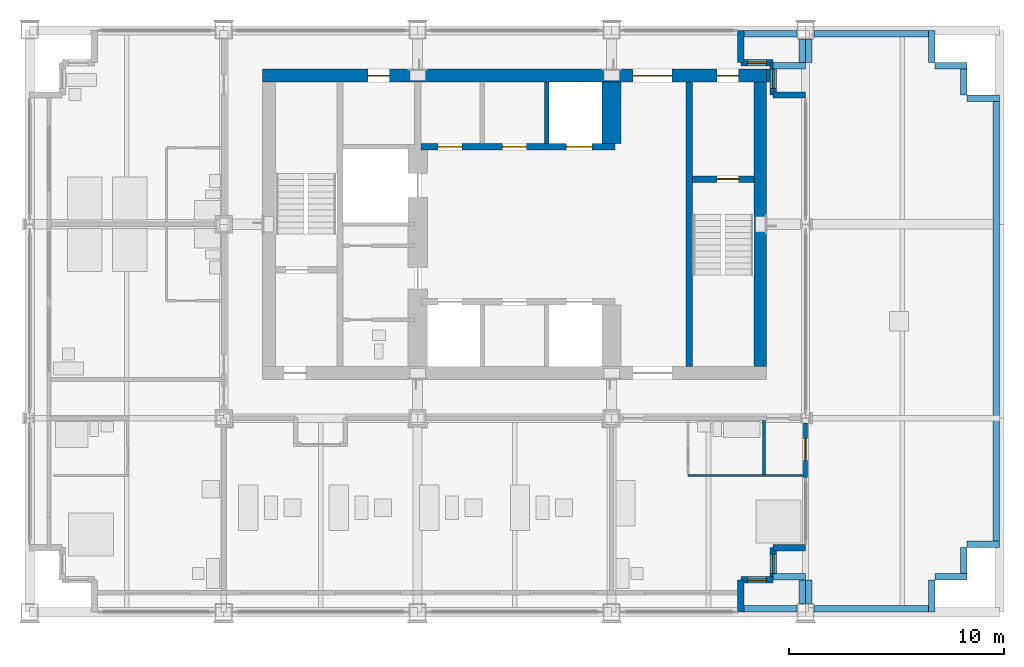
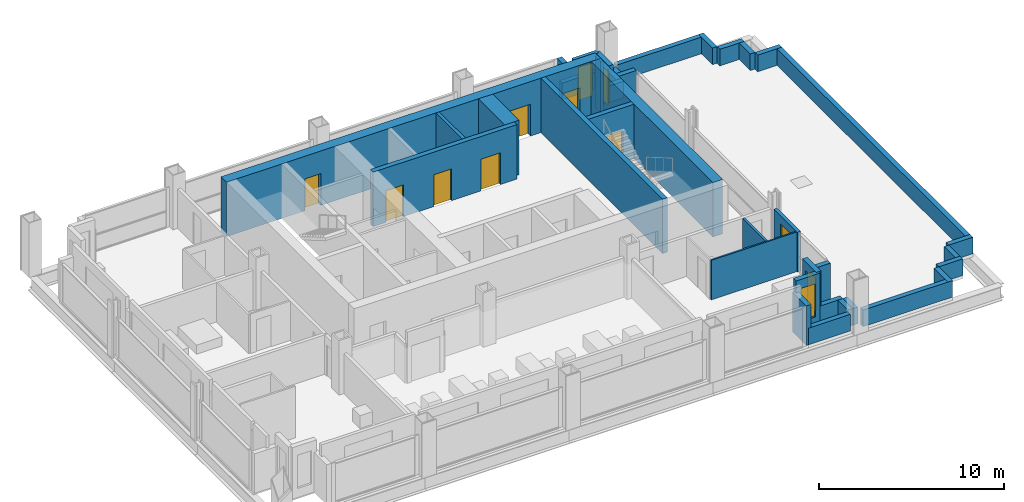
# One storey, part 8 of 12: 38 walls, 8 doors, 4 windows, 12 openings.
"""IFC4 building model written with IfcOpenShell, lengths in metres."""

import ifcopenshell
import ifcopenshell.guid

model = None  # the IFC model being written
_history = None  # IfcOwnerHistory: only IFC2X3 demands one
_inside = {}  # id of a spatial element -> (the spatial element, [elements in it])
_under = {}  # id of a project, library or spatial element -> (it, [spatial elements below it])
_declared = {}  # id of a project -> (the project, [libraries it declares])
_typed = {}  # id of a type object -> (the type object, [elements of that type])
_made_of = {}  # id of a material, layer set ... -> (it, [elements and type objects made of it])


def new_model(schema):
    """Start an empty IFC model of exactly this schema.

    Asked for "IFC4X3", IfcOpenShell would pick the latest addendum, in which some entities
    have other attributes; the version numbers below select the first issue.
    IFC2X3 requires an IfcOwnerHistory on every rooted entity: one is made here for all.
    """
    global model, _history
    if schema == "IFC4X3":
        model = ifcopenshell.file(schema_version=(4, 3, 0, 0))
    else:
        model = ifcopenshell.file(schema=schema)
    _inside.clear()
    _under.clear()
    _declared.clear()
    _typed.clear()
    _made_of.clear()
    _history = None
    if model.schema == "IFC2X3":
        org = make("IfcOrganization", Name="unknown")
        user = make(
            "IfcPersonAndOrganization",
            ThePerson=make("IfcPerson", FamilyName="unknown"),
            TheOrganization=org,
        )
        app = make(
            "IfcApplication",
            ApplicationDeveloper=org,
            Version="unknown",
            ApplicationFullName="unknown",
            ApplicationIdentifier="unknown",
        )
        _history = make(
            "IfcOwnerHistory",
            OwningUser=user,
            OwningApplication=app,
            ChangeAction="ADDED",
            CreationDate=0,
        )
    return model


def make(cls, **values):
    """One entity of the class cls with the attributes given. An attribute that is None is left unset."""
    return model.create_entity(
        cls, **{name: value for name, value in values.items() if value is not None}
    )


def rooted(cls, **values):
    """An entity with a GlobalId (a new one), such as an element, a storey or a relation."""
    return make(cls, GlobalId=ifcopenshell.guid.new(), OwnerHistory=_history, **values)


def si_unit(unit_type, name, prefix=None):
    """IfcSIUnit, for example si_unit("LENGTHUNIT", "METRE", prefix="MILLI")."""
    return make("IfcSIUnit", UnitType=unit_type, Prefix=prefix, Name=name)


def assignment(units):
    """IfcUnitAssignment: the units of a project."""
    return None if units is None else make("IfcUnitAssignment", Units=units)


def point(xyz):
    """IfcCartesianPoint."""
    return None if xyz is None else make("IfcCartesianPoint", Coordinates=xyz)


def direction(xyz):
    """IfcDirection."""
    return None if xyz is None else make("IfcDirection", DirectionRatios=xyz)


def frame(location, z_axis=None, x_axis=None):
    """IfcAxis2Placement3D, a coordinate frame: its origin and axes. An axis left out is left unset."""
    return make(
        "IfcAxis2Placement3D",
        Location=point(location),
        Axis=direction(z_axis),
        RefDirection=direction(x_axis),
    )


def frame_2d(location, x_axis=None):
    """IfcAxis2Placement2D, a coordinate frame in the plane: its origin and x axis."""
    return make(
        "IfcAxis2Placement2D", Location=point(location), RefDirection=direction(x_axis)
    )


def origin():
    """The frame at (0, 0, 0) with its axes left unset."""
    return frame((0.0, 0.0, 0.0))


def place(relative_to, where):
    """IfcLocalPlacement: puts the frame where relative to a parent placement (None: the world)."""
    return make(
        "IfcLocalPlacement", PlacementRelTo=relative_to, RelativePlacement=where
    )


def context(
    kind, dimensions, precision=None, world=None, true_north=None, identifier=None
):
    """IfcGeometricRepresentationContext, for example the 3D "Model" context."""
    return make(
        "IfcGeometricRepresentationContext",
        ContextIdentifier=identifier,
        ContextType=kind,
        CoordinateSpaceDimension=dimensions,
        Precision=precision,
        WorldCoordinateSystem=world,
        TrueNorth=true_north,
    )


def subcontext(parent, identifier, kind, view, scale=None):
    """IfcGeometricRepresentationSubContext, for example "Body" below "Model"."""
    return make(
        "IfcGeometricRepresentationSubContext",
        ContextIdentifier=identifier,
        ContextType=kind,
        ParentContext=parent,
        TargetScale=scale,
        TargetView=view,
    )


def project(units=None, contexts=None):
    """IfcProject with its units and contexts."""
    return rooted(
        "IfcProject",
        Name="project",
        RepresentationContexts=contexts,
        UnitsInContext=assignment(units),
    )


def spatial(cls, under=None, at=None, **own):
    """A site, building, storey or space (cls), placed at a placement, below another one or the project."""
    s = rooted(cls, ObjectPlacement=at, **own)
    if under is not None:
        _under.setdefault(under.id(), (under, []))[1].append(s)
    return s


def profile(cls, at=None, kind="AREA", **sizes):
    """A parametric profile (cls). Its sizes go by their IFC names, for example OverallWidth=200.0."""
    return make(cls, ProfileType=kind, Position=at, **sizes)


def rectangle(**sizes):
    """IfcRectangleProfileDef."""
    return profile("IfcRectangleProfileDef", **sizes)


def extrude(swept, where, along, depth):
    """IfcExtrudedAreaSolid: the profile swept, set in the frame where, extruded along a direction by depth."""
    return make(
        "IfcExtrudedAreaSolid",
        SweptArea=swept,
        Position=where,
        ExtrudedDirection=direction(along),
        Depth=depth,
    )


def shape(context_of_items, identifier, shape_type, items):
    """IfcShapeRepresentation: the items that make up one representation, for example the "Body"."""
    return make(
        "IfcShapeRepresentation",
        ContextOfItems=context_of_items,
        RepresentationIdentifier=identifier,
        RepresentationType=shape_type,
        Items=items,
    )


def material(Name=None, Category=None):
    """IfcMaterial."""
    return make("IfcMaterial", Name=Name, Category=Category)


def layer(
    of_material, thickness, ventilated=None, Name=None, Category=None, Priority=None
):
    """IfcMaterialLayer: one layer of a wall or slab, of a material (None: an air gap)."""
    return make(
        "IfcMaterialLayer",
        Material=of_material,
        LayerThickness=thickness,
        IsVentilated=ventilated,
        Name=Name,
        Category=Category,
        Priority=Priority,
    )


def layer_set(layers, Name=None):
    """IfcMaterialLayerSet."""
    return make("IfcMaterialLayerSet", MaterialLayers=layers, LayerSetName=Name)


def made_of(thing, what):
    """Note that an element or type object is made of a material, layer set ...; save() writes the relation."""
    if what is not None:
        _made_of.setdefault(what.id(), (what, []))[1].append(thing)
    return thing


def type_object(cls, material=None, **own):
    """A type object (cls), such as IfcWallType, which elements share."""
    return made_of(rooted(cls, **own), material)


def element(
    cls,
    number,
    at=None,
    inside=None,
    cuts=None,
    type_object=None,
    material=None,
    context=None,
    identifier="Body",
    shape_type=None,
    held_by="IfcProductDefinitionShape",
    body=None,
    shapes=None,
    **own,
):
    """One element of the class cls, such as IfcWall. Its Tag is "e" and its number.

    at: its placement. inside: the storey or other place that contains it. cuts: it is an
    opening in that element (IfcRelVoidsElement). A single representation is given by context,
    identifier, shape_type and body (its items); several are given by shapes. held_by: the class
    of the entity that holds the representations. save() writes the other relations.
    """
    e = rooted(cls, Tag="e%d" % number, ObjectPlacement=at, **own)
    if body is not None:
        shapes = [shape(context, identifier, shape_type, body)]
    if shapes is not None:
        e.Representation = make(held_by, Representations=shapes)
    if inside is not None:
        _inside.setdefault(inside.id(), (inside, []))[1].append(e)
    if cuts is not None:
        rooted(
            "IfcRelVoidsElement", RelatingBuildingElement=cuts, RelatedOpeningElement=e
        )
    if type_object is not None:
        _typed.setdefault(type_object.id(), (type_object, []))[1].append(e)
    return made_of(e, material)


def fill(opening, filler):
    """IfcRelFillsElement: the door or window that sits in an opening."""
    return rooted(
        "IfcRelFillsElement",
        RelatingOpeningElement=opening,
        RelatedBuildingElement=filler,
    )


def aggregate(whole, parts):
    """IfcRelAggregates: a whole, such as a stair, and the parts it consists of."""
    return rooted("IfcRelAggregates", RelatingObject=whole, RelatedObjects=parts)


def save(model, path):
    """Write the relations noted so far, then the file.

    IfcRelAggregates (storeys below a building ...), IfcRelContainedInSpatialStructure (elements
    in a storey), IfcRelDefinesByType, IfcRelAssociatesMaterial and IfcRelDeclares: one each for
    every whole, place, type object, material and project.
    """
    for whole, parts in _under.values():
        aggregate(whole, parts)
    for where, things in _inside.values():
        rooted(
            "IfcRelContainedInSpatialStructure",
            RelatedElements=things,
            RelatingStructure=where,
        )
    for kind, things in _typed.values():
        rooted("IfcRelDefinesByType", RelatedObjects=things, RelatingType=kind)
    for what, things in _made_of.values():
        rooted("IfcRelAssociatesMaterial", RelatedObjects=things, RelatingMaterial=what)
    for by, libraries in _declared.values():
        rooted("IfcRelDeclares", RelatingContext=by, RelatedDefinitions=libraries)
    model.write(path)


model = new_model("IFC4")

# Units and contexts
model_context = context("Model", 3, precision=1e-05, world=origin(), true_north=direction((0.0, 1.0)))
body_context = subcontext(model_context, "Body", "Model", "MODEL_VIEW")
ifc_project = project(units=[si_unit("LENGTHUNIT", "METRE"), si_unit("AREAUNIT", "SQUARE_METRE"), si_unit("VOLUMEUNIT", "CUBIC_METRE"), si_unit("PLANEANGLEUNIT", "RADIAN"), si_unit("MASSUNIT", "GRAM", prefix="KILO")], contexts=[model_context])

# Site, building, storey
site_placement = place(None, origin())
site = spatial("IfcSite", under=ifc_project, at=site_placement, CompositionType="ELEMENT")
building_placement = place(site_placement, origin())
building = spatial("IfcBuilding", under=site, at=building_placement, Name="Loomwork Tower", CompositionType="ELEMENT")
storey_placement = place(building_placement, frame((0.0, 0.0, 226.60009765625)))
storey = spatial("IfcBuildingStorey", under=building, at=storey_placement, Name="L62", CompositionType="ELEMENT", Elevation=226.60009765625)

# Wall, openings, doors
ifc_material_1 = material(Name="Concrete 14000 psi (97 MPa)", Category="concrete")
ifc_layer_1 = layer(ifc_material_1, 0.300048828125)
ifc_layer_set_1 = layer_set([ifc_layer_1], Name="Core shear wall 300")
wall_type_1 = type_object("IfcWallType", Name="Core shear wall 300", PredefinedType="SHEAR", material=ifc_layer_set_1)
wall_1_placement = place(storey_placement, frame((18.14990234375, 21.60009765625, 0.0), z_axis=(0.0, 0.0, 1.0), x_axis=(1.0, 0.0, 0.0)))
wall_1 = element("IfcWall", 1, at=wall_1_placement, inside=storey, type_object=wall_type_1, Name="Lift front wall north L62", PredefinedType="SHEAR", context=body_context, shape_type="SweptSolid", body=[
    extrude(rectangle(XDim=9.0, YDim=0.300048828125, at=frame_2d((4.5, 0.0))), origin(), (0.0, 0.0, 1.0), 3.599853515625),
])
opening_1_placement = place(wall_1_placement, frame((6.75, 0.0, 0.0)))
opening_1 = element("IfcOpeningElement", 2, at=opening_1_placement, cuts=wall_1, Name="Opening LD2", PredefinedType="OPENING", context=body_context, shape_type="SweptSolid", body=[
    extrude(rectangle(XDim=1.199951171875, YDim=2.10009765625, at=frame_2d((0.60009765625, 1.050048828125))), frame((0.0, 0.159912109375, 0.0), z_axis=(0.0, -1.0, 0.0), x_axis=(1.0, 0.0, 0.0)), (0.0, 0.0, 1.0), 0.320068359375),
])
opening_2_placement = place(wall_1_placement, frame((0.800048828125, 0.0, 0.0)))
opening_2 = element("IfcOpeningElement", 3, at=opening_2_placement, cuts=wall_1, Name="Opening D17", PredefinedType="OPENING", context=body_context, shape_type="SweptSolid", body=[
    extrude(rectangle(XDim=1.10009765625, YDim=2.10009765625, at=frame_2d((0.550048828125, 1.050048828125))), frame((0.0, 0.159912109375, 0.0), z_axis=(0.0, -1.0, 0.0), x_axis=(1.0, 0.0, 0.0)), (0.0, 0.0, 1.0), 0.320068359375),
])
opening_3_placement = place(wall_1_placement, frame((3.800048828125, 0.0, 0.0)))
opening_3 = element("IfcOpeningElement", 4, at=opening_3_placement, cuts=wall_1, Name="Opening D17", PredefinedType="OPENING", context=body_context, shape_type="SweptSolid", body=[
    extrude(rectangle(XDim=1.10009765625, YDim=2.10009765625, at=frame_2d((0.550048828125, 1.050048828125))), frame((0.0, 0.159912109375, 0.0), z_axis=(0.0, -1.0, 0.0), x_axis=(1.0, 0.0, 0.0)), (0.0, 0.0, 1.0), 0.320068359375),
])
ifc_material_2 = material(Name="Hollow metal door and frame")
door_type_1 = type_object("IfcDoorType", Name="Lift landing door 1200", OperationType="SLIDING_TO_LEFT", PredefinedType="DOOR", material=ifc_material_2)
door_1_placement = place(opening_1_placement, origin())
door_1 = element("IfcDoor", 5, at=door_1_placement, inside=storey, type_object=door_type_1, Name="Lift landing door LF2", OperationType="SLIDING_TO_LEFT", OverallHeight=2.10009765625, OverallWidth=1.199951171875, PredefinedType="DOOR", context=body_context, shape_type="SweptSolid", body=[
    extrude(rectangle(XDim=1.199951171875, YDim=2.10009765625, at=frame_2d((0.60009765625, 1.050048828125))), frame((0.0, 0.02490234375, 0.0), z_axis=(0.0, -1.0, 0.0), x_axis=(1.0, 0.0, 0.0)), (0.0, 0.0, 1.0), 0.050048828125),
])
fill(opening_1, door_1)
ifc_material_3 = material(Name="Hollow metal door and frame")
door_type_2 = type_object("IfcDoorType", Name="Service room door 1100", OperationType="SINGLE_SWING_LEFT", PredefinedType="DOOR", material=ifc_material_3)
door_2_placement = place(opening_2_placement, origin())
door_2 = element("IfcDoor", 6, at=door_2_placement, inside=storey, type_object=door_type_2, Name="IT and communications room door L62", OperationType="SINGLE_SWING_LEFT", OverallHeight=2.10009765625, OverallWidth=1.10009765625, PredefinedType="DOOR", context=body_context, shape_type="SweptSolid", body=[
    extrude(rectangle(XDim=1.10009765625, YDim=2.10009765625, at=frame_2d((0.550048828125, 1.050048828125))), frame((0.0, 0.02490234375, 0.0), z_axis=(0.0, -1.0, 0.0), x_axis=(1.0, 0.0, 0.0)), (0.0, 0.0, 1.0), 0.050048828125),
])
fill(opening_2, door_2)
door_3_placement = place(opening_3_placement, origin())
door_3 = element("IfcDoor", 7, at=door_3_placement, inside=storey, type_object=door_type_2, Name="Housekeeping store door L62", OperationType="SINGLE_SWING_LEFT", OverallHeight=2.10009765625, OverallWidth=1.10009765625, PredefinedType="DOOR", context=body_context, shape_type="SweptSolid", body=[
    extrude(rectangle(XDim=1.10009765625, YDim=2.10009765625, at=frame_2d((0.550048828125, 1.050048828125))), frame((0.0, 0.02490234375, 0.0), z_axis=(0.0, -1.0, 0.0), x_axis=(1.0, 0.0, 0.0)), (0.0, 0.0, 1.0), 0.050048828125),
])
fill(opening_3, door_3)

# Wall
wall_2_placement = place(storey_placement, frame((30.60009765625, 11.39990234375, 0.0), z_axis=(0.0, 0.0, 1.0), x_axis=(0.0, 1.0, 0.0)))
element("IfcWall", 8, at=wall_2_placement, inside=storey, type_object=wall_type_1, Name="Stair B west wall L62", PredefinedType="SHEAR", context=body_context, shape_type="SweptSolid", body=[
    extrude(rectangle(XDim=13.2001953125, YDim=0.300048828125, at=frame_2d((6.60009765625, 0.0))), origin(), (0.0, 0.0, 1.0), 3.599853515625),
])

# Wall, opening, door
wall_3_placement = place(storey_placement, frame((30.75, 20.10009765625, 0.0), z_axis=(0.0, 0.0, 1.0), x_axis=(1.0, 0.0, 0.0)))
wall_3 = element("IfcWall", 9, at=wall_3_placement, inside=storey, type_object=wall_type_1, Name="Stair B north wall L62", PredefinedType="SHEAR", context=body_context, shape_type="SweptSolid", body=[
    extrude(rectangle(XDim=2.85009765625, YDim=0.300048828125, at=frame_2d((1.425048828125, 0.0))), origin(), (0.0, 0.0, 1.0), 3.599853515625),
])
opening_4_placement = place(wall_3_placement, frame((1.14990234375, 0.0, 0.0)))
opening_4 = element("IfcOpeningElement", 10, at=opening_4_placement, cuts=wall_3, Name="Opening D4", PredefinedType="OPENING", context=body_context, shape_type="SweptSolid", body=[
    extrude(rectangle(XDim=1.0, YDim=2.10009765625, at=frame_2d((0.5, 1.050048828125))), frame((0.0, 0.159912109375, 0.0), z_axis=(0.0, -1.0, 0.0), x_axis=(1.0, 0.0, 0.0)), (0.0, 0.0, 1.0), 0.320068359375),
])
ifc_material_4 = material(Name="Hollow metal door and frame")
door_type_3 = type_object("IfcDoorType", Name="Stair door 1000", OperationType="SINGLE_SWING_RIGHT", PredefinedType="DOOR", material=ifc_material_4)
door_4_placement = place(opening_4_placement, frame((1.0, 0.0, 0.0), z_axis=(0.0, 0.0, 1.0), x_axis=(-1.0, 0.0, 0.0)))
door_4 = element("IfcDoor", 11, at=door_4_placement, inside=storey, type_object=door_type_3, Name="Stair B door", OperationType="SINGLE_SWING_LEFT", OverallHeight=2.10009765625, OverallWidth=1.0, PredefinedType="DOOR", context=body_context, shape_type="SweptSolid", body=[
    extrude(rectangle(XDim=1.0, YDim=2.10009765625, at=frame_2d((0.5, 1.050048828125))), frame((0.0, 0.02490234375, 0.0), z_axis=(0.0, -1.0, 0.0), x_axis=(1.0, 0.0, 0.0)), (0.0, 0.0, 1.0), 0.050048828125),
])
fill(opening_4, door_4)

# Wall, openings, doors
ifc_material_5 = material(Name="Concrete 14000 psi (97 MPa)", Category="concrete")
ifc_layer_2 = layer(ifc_material_5, 0.60009765625)
ifc_layer_set_2 = layer_set([ifc_layer_2], Name="Core shear wall 600")
wall_type_2 = type_object("IfcWallType", Name="Core shear wall 600", PredefinedType="SHEAR", material=ifc_layer_set_2)
wall_4_placement = place(storey_placement, frame((10.800048828125, 24.89990234375, 0.0), z_axis=(0.0, 0.0, 1.0), x_axis=(1.0, 0.0, 0.0)))
wall_4 = element("IfcWall", 12, at=wall_4_placement, inside=storey, type_object=wall_type_2, Name="Core wall north L62", PredefinedType="SHEAR", context=body_context, shape_type="SweptSolid", body=[
    extrude(rectangle(XDim=23.39990234375, YDim=0.60009765625, at=frame_2d((11.699951171875, 0.0))), origin(), (0.0, 0.0, 1.0), 3.599853515625),
])
opening_5_placement = place(wall_4_placement, frame((17.199951171875, 0.0, 0.0)))
opening_5 = element("IfcOpeningElement", 13, at=opening_5_placement, cuts=wall_4, Name="Opening D6", PredefinedType="OPENING", context=body_context, shape_type="SweptSolid", body=[
    extrude(rectangle(XDim=1.800048828125, YDim=2.10009765625, at=frame_2d((0.89990234375, 1.050048828125))), frame((0.0, 0.31005859375, 0.0), z_axis=(0.0, -1.0, 0.0), x_axis=(1.0, 0.0, 0.0)), (0.0, 0.0, 1.0), 0.6201171875),
])
opening_6_placement = place(wall_4_placement, frame((21.10009765625, 0.0, 0.0)))
opening_6 = element("IfcOpeningElement", 14, at=opening_6_placement, cuts=wall_4, Name="Opening D4", PredefinedType="OPENING", context=body_context, shape_type="SweptSolid", body=[
    extrude(rectangle(XDim=1.0, YDim=2.10009765625, at=frame_2d((0.5, 1.050048828125))), frame((0.0, 0.31005859375, 0.0), z_axis=(0.0, -1.0, 0.0), x_axis=(1.0, 0.0, 0.0)), (0.0, 0.0, 1.0), 0.6201171875),
])
opening_7_placement = place(wall_4_placement, frame((4.89990234375, 0.0, 0.0)))
opening_7 = element("IfcOpeningElement", 15, at=opening_7_placement, cuts=wall_4, Name="Opening D5", PredefinedType="OPENING", context=body_context, shape_type="SweptSolid", body=[
    extrude(rectangle(XDim=1.0, YDim=2.10009765625, at=frame_2d((0.5, 1.050048828125))), frame((0.0, 0.31005859375, 0.0), z_axis=(0.0, -1.0, 0.0), x_axis=(1.0, 0.0, 0.0)), (0.0, 0.0, 1.0), 0.6201171875),
])
ifc_material_6 = material(Name="Hollow metal door and frame")
door_type_4 = type_object("IfcDoorType", Name="Lobby passage double door 1800", OperationType="DOUBLE_DOOR_SINGLE_SWING", PredefinedType="DOOR", material=ifc_material_6)
door_5_placement = place(opening_5_placement, frame((1.800048828125, 0.0, 0.0), z_axis=(0.0, 0.0, 1.0), x_axis=(-1.0, 0.0, 0.0)))
door_5 = element("IfcDoor", 16, at=door_5_placement, inside=storey, type_object=door_type_4, Name="Lobby passage door north", OperationType="DOUBLE_DOOR_SINGLE_SWING", OverallHeight=2.10009765625, OverallWidth=1.800048828125, PredefinedType="DOOR", context=body_context, shape_type="SweptSolid", body=[
    extrude(rectangle(XDim=1.800048828125, YDim=2.10009765625, at=frame_2d((0.89990234375, 1.050048828125))), frame((0.0, 0.02490234375, 0.0), z_axis=(0.0, -1.0, 0.0), x_axis=(1.0, 0.0, 0.0)), (0.0, 0.0, 1.0), 0.050048828125),
])
fill(opening_5, door_5)
ifc_material_7 = material(Name="Hollow metal door and frame")
door_type_5 = type_object("IfcDoorType", Name="Service door 1000", OperationType="SINGLE_SWING_LEFT", PredefinedType="DOOR", material=ifc_material_7)
door_6_placement = place(opening_7_placement, frame((1.0, 0.0, 0.0), z_axis=(0.0, 0.0, 1.0), x_axis=(-1.0, 0.0, 0.0)))
door_6 = element("IfcDoor", 17, at=door_6_placement, inside=storey, type_object=door_type_5, Name="Back-of-house door north", OperationType="SINGLE_SWING_LEFT", OverallHeight=2.10009765625, OverallWidth=1.0, PredefinedType="DOOR", context=body_context, shape_type="SweptSolid", body=[
    extrude(rectangle(XDim=1.0, YDim=2.10009765625, at=frame_2d((0.5, 1.050048828125))), frame((0.0, 0.02490234375, 0.0), z_axis=(0.0, -1.0, 0.0), x_axis=(1.0, 0.0, 0.0)), (0.0, 0.0, 1.0), 0.050048828125),
])
fill(opening_7, door_6)
door_7_placement = place(opening_6_placement, frame((1.0, 0.0, 0.0), z_axis=(0.0, 0.0, 1.0), x_axis=(-1.0, 0.0, 0.0)))
door_7 = element("IfcDoor", 18, at=door_7_placement, inside=storey, type_object=door_type_3, Name="Stair B vestibule door", OperationType="SINGLE_SWING_LEFT", OverallHeight=2.10009765625, OverallWidth=1.0, PredefinedType="DOOR", context=body_context, shape_type="SweptSolid", body=[
    extrude(rectangle(XDim=1.0, YDim=2.10009765625, at=frame_2d((0.5, 1.050048828125))), frame((0.0, 0.02490234375, 0.0), z_axis=(0.0, -1.0, 0.0), x_axis=(1.0, 0.0, 0.0)), (0.0, 0.0, 1.0), 0.050048828125),
])
fill(opening_6, door_7)

# Walls
wall_5_placement = place(storey_placement, frame((33.89990234375, 11.39990234375, 0.0), z_axis=(0.0, 0.0, 1.0), x_axis=(0.0, 1.0, 0.0)))
element("IfcWall", 19, at=wall_5_placement, inside=storey, type_object=wall_type_2, Name="Core wall east L62", PredefinedType="SHEAR", context=body_context, shape_type="SweptSolid", body=[
    extrude(rectangle(XDim=13.2001953125, YDim=0.60009765625, at=frame_2d((6.60009765625, 0.0))), origin(), (0.0, 0.0, 1.0), 3.599853515625),
])
ifc_material_8 = material(Name="Concrete 14000 psi (97 MPa)", Category="concrete")
ifc_layer_3 = layer(ifc_material_8, 0.89990234375)
ifc_layer_set_3 = layer_set([ifc_layer_3], Name="Core shear wall 900")
wall_type_3 = type_object("IfcWallType", Name="Core shear wall 900", PredefinedType="SHEAR", material=ifc_layer_set_3)
wall_6_placement = place(storey_placement, frame((27.0, 21.75, 0.0), z_axis=(0.0, 0.0, 1.0), x_axis=(0.0, 1.0, 0.0)))
element("IfcWall", 20, at=wall_6_placement, inside=storey, type_object=wall_type_3, Name="Lift shaft end wall north L62", PredefinedType="SHEAR", context=body_context, shape_type="SweptSolid", body=[
    extrude(rectangle(XDim=2.85009765625, YDim=0.89990234375, at=frame_2d((1.425048828125, 0.0))), origin(), (0.0, 0.0, 1.0), 3.599853515625),
])
ifc_material_9 = material(Name="Cement board on steel studs", Category="steel")
ifc_layer_4 = layer(ifc_material_9, 0.10009765625)
ifc_layer_set_4 = layer_set([ifc_layer_4], Name="En-suite partition 100")
wall_type_4 = type_object("IfcWallType", Name="En-suite partition 100", PredefinedType="PARTITIONING", material=ifc_layer_set_4)
wall_7_placement = place(storey_placement, frame((30.550048828125, 6.35009765625, 0.0), z_axis=(0.0, 0.0, 1.0), x_axis=(1.0, 0.0, 0.0)))
element("IfcWall", 21, at=wall_7_placement, inside=storey, type_object=wall_type_4, Name="En-suite wall L62 room 3", PredefinedType="PARTITIONING", context=body_context, shape_type="SweptSolid", body=[
    extrude(rectangle(XDim=5.349853515625, YDim=0.10009765625, at=frame_2d((2.6748046875, 0.0))), origin(), (0.0, 0.0, 1.0), 2.619873046875),
])
ifc_material_10 = material(Name="Concrete 14000 psi (97 MPa)", Category="concrete")
ifc_layer_5 = layer(ifc_material_10, 0.199951171875)
ifc_layer_set_5 = layer_set([ifc_layer_5], Name="Lift shaft wall 200")
wall_type_5 = type_object("IfcWallType", Name="Lift shaft wall 200", PredefinedType="SHEAR", material=ifc_layer_set_5)
wall_8_placement = place(storey_placement, frame((24.0, 21.75, 0.0), z_axis=(0.0, 0.0, 1.0), x_axis=(0.0, 1.0, 0.0)))
element("IfcWall", 22, at=wall_8_placement, inside=storey, type_object=wall_type_5, Name="Lift shaft separation wall north 2 L62", PredefinedType="SHEAR", context=body_context, shape_type="SweptSolid", body=[
    extrude(rectangle(XDim=2.85009765625, YDim=0.199951171875, at=frame_2d((1.425048828125, 0.0))), origin(), (0.0, 0.0, 1.0), 3.599853515625),
])
ifc_material_11 = material(Name="Limestone on concrete masonry", Category="masonry")
ifc_layer_6 = layer(ifc_material_11, 0.300048828125)
ifc_layer_set_6 = layer_set([ifc_layer_6], Name="Limestone corner wall 300")
wall_type_6 = type_object("IfcWallType", Name="Limestone corner wall 300", PredefinedType="SOLIDWALL", material=ifc_layer_set_6)
wall_9_placement = place(storey_placement, frame((33.0, 0.0, 0.0), z_axis=(0.0, 0.0, 1.0), x_axis=(0.0, 1.0, 0.0)))
element("IfcWall", 23, at=wall_9_placement, inside=storey, type_object=wall_type_6, Name="Stone corner wall SE 1", PredefinedType="SOLIDWALL", context=body_context, shape_type="SweptSolid", body=[
    extrude(rectangle(XDim=1.5, YDim=0.300048828125, at=frame_2d((0.75, 0.0))), origin(), (0.0, 0.0, 1.0), 2.619873046875),
])

# Wall, opening, window
wall_10_placement = place(storey_placement, frame((33.0, 1.5, 0.0), z_axis=(0.0, 0.0, 1.0), x_axis=(1.0, 0.0, 0.0)))
wall_10 = element("IfcWall", 24, at=wall_10_placement, inside=storey, type_object=wall_type_6, Name="Stone corner wall SE 2", PredefinedType="SOLIDWALL", context=body_context, shape_type="SweptSolid", body=[
    extrude(rectangle(XDim=1.5, YDim=0.300048828125, at=frame_2d((0.75, 0.0))), origin(), (0.0, 0.0, 1.0), 3.39990234375),
])
opening_8_placement = place(wall_10_placement, frame((0.300048828125, 0.0, 0.60009765625)))
opening_8 = element("IfcOpeningElement", 25, at=opening_8_placement, cuts=wall_10, Name="Opening CH2", PredefinedType="OPENING", context=body_context, shape_type="SweptSolid", body=[
    extrude(rectangle(XDim=0.89990234375, YDim=2.199951171875, at=frame_2d((0.449951171875, 1.10009765625))), frame((0.0, 0.159912109375, 0.0), z_axis=(0.0, -1.0, 0.0), x_axis=(1.0, 0.0, 0.0)), (0.0, 0.0, 1.0), 0.320068359375),
])
ifc_material_12 = material(Name="Aluminium frame with clear insulated glass", Category="aluminium")
window_type = type_object("IfcWindowType", Name="Corner window 900", PartitioningType="SINGLE_PANEL", PredefinedType="WINDOW", material=ifc_material_12)
window_1_placement = place(opening_8_placement, origin())
window_1 = element("IfcWindow", 26, at=window_1_placement, inside=storey, type_object=window_type, Name="Corner window SE", OverallHeight=2.199951171875, OverallWidth=0.89990234375, PartitioningType="SINGLE_PANEL", PredefinedType="WINDOW", context=body_context, shape_type="SweptSolid", body=[
    extrude(rectangle(XDim=0.89990234375, YDim=2.199951171875, at=frame_2d((0.449951171875, 1.10009765625))), frame((0.0, 0.030029296875, 0.0), z_axis=(0.0, -1.0, 0.0), x_axis=(1.0, 0.0, 0.0)), (0.0, 0.0, 1.0), 0.06005859375),
])
fill(opening_8, window_1)

wall_11_placement = place(storey_placement, frame((34.5, 1.5, 0.0), z_axis=(0.0, 0.0, 1.0), x_axis=(0.0, 1.0, 0.0)))
wall_11 = element("IfcWall", 27, at=wall_11_placement, inside=storey, type_object=wall_type_6, Name="Stone corner wall SE 3", PredefinedType="SOLIDWALL", context=body_context, shape_type="SweptSolid", body=[
    extrude(rectangle(XDim=1.5, YDim=0.300048828125, at=frame_2d((0.75, 0.0))), origin(), (0.0, 0.0, 1.0), 3.39990234375),
])
opening_9_placement = place(wall_11_placement, frame((0.300048828125, 0.0, 0.60009765625)))
opening_9 = element("IfcOpeningElement", 28, at=opening_9_placement, cuts=wall_11, Name="Opening CH2", PredefinedType="OPENING", context=body_context, shape_type="SweptSolid", body=[
    extrude(rectangle(XDim=0.89990234375, YDim=2.199951171875, at=frame_2d((0.449951171875, 1.10009765625))), frame((0.0, 0.159912109375, 0.0), z_axis=(0.0, -1.0, 0.0), x_axis=(1.0, 0.0, 0.0)), (0.0, 0.0, 1.0), 0.320068359375),
])
window_2_placement = place(opening_9_placement, origin())
window_2 = element("IfcWindow", 29, at=window_2_placement, inside=storey, type_object=window_type, Name="Corner window SE", OverallHeight=2.199951171875, OverallWidth=0.89990234375, PartitioningType="SINGLE_PANEL", PredefinedType="WINDOW", context=body_context, shape_type="SweptSolid", body=[
    extrude(rectangle(XDim=0.89990234375, YDim=2.199951171875, at=frame_2d((0.449951171875, 1.10009765625))), frame((0.0, 0.030029296875, 0.0), z_axis=(0.0, -1.0, 0.0), x_axis=(1.0, 0.0, 0.0)), (0.0, 0.0, 1.0), 0.06005859375),
])
fill(opening_9, window_2)

# Walls
for number, where, z_axis, x_axis, name in (
    (30, (34.5, 3.0, 0.0), (0.0, 0.0, 1.0), (1.0, 0.0, 0.0), "Stone corner wall SE 4"),
    (31, (36.0, 24.0, 0.0), (0.0, 0.0, 1.0), (-1.0, 0.0, 0.0), "Stone corner wall NE 1"),
):
    element("IfcWall", number, at=place(storey_placement, frame(where, z_axis=z_axis, x_axis=x_axis)), inside=storey, type_object=wall_type_6, Name=name, PredefinedType="SOLIDWALL", context=body_context, shape_type="SweptSolid", body=[
        extrude(rectangle(XDim=1.5, YDim=0.300048828125, at=frame_2d((0.75, 0.0))), origin(), (0.0, 0.0, 1.0), 2.619873046875),
    ])

# Wall, opening, window
wall_12_placement = place(storey_placement, frame((34.5, 24.0, 0.0), z_axis=(0.0, 0.0, 1.0), x_axis=(0.0, 1.0, 0.0)))
wall_12 = element("IfcWall", 32, at=wall_12_placement, inside=storey, type_object=wall_type_6, Name="Stone corner wall NE 2", PredefinedType="SOLIDWALL", context=body_context, shape_type="SweptSolid", body=[
    extrude(rectangle(XDim=1.5, YDim=0.300048828125, at=frame_2d((0.75, 0.0))), origin(), (0.0, 0.0, 1.0), 3.39990234375),
])
opening_10_placement = place(wall_12_placement, frame((0.300048828125, 0.0, 0.60009765625)))
opening_10 = element("IfcOpeningElement", 33, at=opening_10_placement, cuts=wall_12, Name="Opening CH2", PredefinedType="OPENING", context=body_context, shape_type="SweptSolid", body=[
    extrude(rectangle(XDim=0.89990234375, YDim=2.199951171875, at=frame_2d((0.449951171875, 1.10009765625))), frame((0.0, 0.159912109375, 0.0), z_axis=(0.0, -1.0, 0.0), x_axis=(1.0, 0.0, 0.0)), (0.0, 0.0, 1.0), 0.320068359375),
])
window_3_placement = place(opening_10_placement, origin())
window_3 = element("IfcWindow", 34, at=window_3_placement, inside=storey, type_object=window_type, Name="Corner window NE", OverallHeight=2.199951171875, OverallWidth=0.89990234375, PartitioningType="SINGLE_PANEL", PredefinedType="WINDOW", context=body_context, shape_type="SweptSolid", body=[
    extrude(rectangle(XDim=0.89990234375, YDim=2.199951171875, at=frame_2d((0.449951171875, 1.10009765625))), frame((0.0, 0.030029296875, 0.0), z_axis=(0.0, -1.0, 0.0), x_axis=(1.0, 0.0, 0.0)), (0.0, 0.0, 1.0), 0.06005859375),
])
fill(opening_10, window_3)

wall_13_placement = place(storey_placement, frame((34.5, 25.5, 0.0), z_axis=(0.0, 0.0, 1.0), x_axis=(-1.0, 0.0, 0.0)))
wall_13 = element("IfcWall", 35, at=wall_13_placement, inside=storey, type_object=wall_type_6, Name="Stone corner wall NE 3", PredefinedType="SOLIDWALL", context=body_context, shape_type="SweptSolid", body=[
    extrude(rectangle(XDim=1.5, YDim=0.300048828125, at=frame_2d((0.75, 0.0))), origin(), (0.0, 0.0, 1.0), 3.39990234375),
])
opening_11_placement = place(wall_13_placement, frame((0.300048828125, 0.0, 0.60009765625)))
opening_11 = element("IfcOpeningElement", 36, at=opening_11_placement, cuts=wall_13, Name="Opening CH2", PredefinedType="OPENING", context=body_context, shape_type="SweptSolid", body=[
    extrude(rectangle(XDim=0.89990234375, YDim=2.199951171875, at=frame_2d((0.449951171875, 1.10009765625))), frame((0.0, 0.159912109375, 0.0), z_axis=(0.0, -1.0, 0.0), x_axis=(1.0, 0.0, 0.0)), (0.0, 0.0, 1.0), 0.320068359375),
])
window_4_placement = place(opening_11_placement, origin())
window_4 = element("IfcWindow", 37, at=window_4_placement, inside=storey, type_object=window_type, Name="Corner window NE", OverallHeight=2.199951171875, OverallWidth=0.89990234375, PartitioningType="SINGLE_PANEL", PredefinedType="WINDOW", context=body_context, shape_type="SweptSolid", body=[
    extrude(rectangle(XDim=0.89990234375, YDim=2.199951171875, at=frame_2d((0.449951171875, 1.10009765625))), frame((0.0, 0.030029296875, 0.0), z_axis=(0.0, -1.0, 0.0), x_axis=(1.0, 0.0, 0.0)), (0.0, 0.0, 1.0), 0.06005859375),
])
fill(opening_11, window_4)

# Wall
wall_14_placement = place(storey_placement, frame((33.0, 25.5, 0.0), z_axis=(0.0, 0.0, 1.0), x_axis=(0.0, 1.0, 0.0)))
element("IfcWall", 38, at=wall_14_placement, inside=storey, type_object=wall_type_6, Name="Stone corner wall NE 4", PredefinedType="SOLIDWALL", context=body_context, shape_type="SweptSolid", body=[
    extrude(rectangle(XDim=1.5, YDim=0.300048828125, at=frame_2d((0.75, 0.0))), origin(), (0.0, 0.0, 1.0), 2.619873046875),
])

# Wall, opening, door
ifc_material_13 = material(Name="Insulated aluminium composite panel on steel frame", Category="steel")
ifc_layer_7 = layer(ifc_material_13, 0.199951171875)
ifc_layer_set_7 = layer_set([ifc_layer_7], Name="Outer skin door panel 200")
wall_type_7 = type_object("IfcWallType", Name="Outer skin door panel 200", PredefinedType="SOLIDWALL", material=ifc_layer_set_7)
wall_15_placement = place(storey_placement, frame((36.0, 8.789306640625, 0.0), z_axis=(0.0, 0.0, 1.0), x_axis=(0.0, -1.0, 0.0)))
wall_15 = element("IfcWall", 39, at=wall_15_placement, inside=storey, type_object=wall_type_7, Name="Outer skin door panel L62", PredefinedType="SOLIDWALL", context=body_context, shape_type="SweptSolid", body=[
    extrude(rectangle(XDim=2.539306640625, YDim=0.199951171875, at=frame_2d((1.26953125, 0.0))), origin(), (0.0, 0.0, 1.0), 2.6201171875),
])
opening_12_placement = place(wall_15_placement, frame((0.7392578125, 0.0, 0.0)))
opening_12 = element("IfcOpeningElement", 40, at=opening_12_placement, cuts=wall_15, Name="Opening D12", PredefinedType="OPENING", context=body_context, shape_type="SweptSolid", body=[
    extrude(rectangle(XDim=1.0, YDim=2.10009765625, at=frame_2d((0.5, 1.050048828125))), frame((0.0, 0.10986328125, 0.0), z_axis=(0.0, -1.0, 0.0), x_axis=(1.0, 0.0, 0.0)), (0.0, 0.0, 1.0), 0.219970703125),
])
ifc_material_14 = material(Name="Hollow metal door and frame")
door_type_6 = type_object("IfcDoorType", Name="External service door 1000", OperationType="SINGLE_SWING_RIGHT", PredefinedType="DOOR", material=ifc_material_14)
door_8_placement = place(opening_12_placement, origin())
door_8 = element("IfcDoor", 41, at=door_8_placement, inside=storey, type_object=door_type_6, Name="Roof access door L62 roof side", OperationType="SINGLE_SWING_RIGHT", OverallHeight=2.10009765625, OverallWidth=1.0, PredefinedType="DOOR", context=body_context, shape_type="SweptSolid", body=[
    extrude(rectangle(XDim=1.0, YDim=2.10009765625, at=frame_2d((0.5, 1.050048828125))), frame((0.0, 0.02490234375, 0.0), z_axis=(0.0, -1.0, 0.0), x_axis=(1.0, 0.0, 0.0)), (0.0, 0.0, 1.0), 0.050048828125),
])
fill(opening_12, door_8)

# Walls
ifc_material_15 = material(Name="Limestone on concrete masonry", Category="masonry")
ifc_layer_8 = layer(ifc_material_15, 0.300048828125)
ifc_layer_set_8 = layer_set([ifc_layer_8], Name="Parapet wall 300")
wall_type_8 = type_object("IfcWallType", Name="Parapet wall 300", PredefinedType="PARAPET", material=ifc_layer_set_8)
wall_16_placement = place(storey_placement, frame((35.60009765625, 0.14990234375, 0.0), z_axis=(0.0, 0.0, 1.0), x_axis=(-1.0, 0.0, 0.0)))
element("IfcWall", 42, at=wall_16_placement, inside=storey, type_object=wall_type_8, Name="Parapet L62 1", PredefinedType="PARAPET", context=body_context, shape_type="SweptSolid", body=[
    extrude(rectangle(XDim=2.60009765625, YDim=0.300048828125, at=frame_2d((1.300048828125, 0.0))), origin(), (0.0, 0.0, 1.0), 1.099853515625),
])
wall_17_placement = place(storey_placement, frame((35.85009765625, 1.5, 0.0), z_axis=(0.0, 0.0, 1.0), x_axis=(0.0, -1.0, 0.0)))
element("IfcWall", 43, at=wall_17_placement, inside=storey, type_object=wall_type_8, Name="Parapet L62 2", PredefinedType="PARAPET", context=body_context, shape_type="SweptSolid", body=[
    extrude(rectangle(XDim=1.10009765625, YDim=0.300048828125, at=frame_2d((0.550048828125, 0.0))), origin(), (0.0, 0.0, 1.0), 1.099853515625),
])
wall_18_placement = place(storey_placement, frame((33.0, 26.85009765625, 0.0), z_axis=(0.0, 0.0, 1.0), x_axis=(1.0, 0.0, 0.0)))
element("IfcWall", 44, at=wall_18_placement, inside=storey, type_object=wall_type_8, Name="Parapet L62 1", PredefinedType="PARAPET", context=body_context, shape_type="SweptSolid", body=[
    extrude(rectangle(XDim=2.60009765625, YDim=0.300048828125, at=frame_2d((1.300048828125, 0.0))), origin(), (0.0, 0.0, 1.0), 1.099853515625),
])
wall_19_placement = place(storey_placement, frame((35.85009765625, 26.60009765625, 0.0), z_axis=(0.0, 0.0, 1.0), x_axis=(0.0, -1.0, 0.0)))
element("IfcWall", 45, at=wall_19_placement, inside=storey, type_object=wall_type_8, Name="Parapet L62 2", PredefinedType="PARAPET", context=body_context, shape_type="SweptSolid", body=[
    extrude(rectangle(XDim=1.10009765625, YDim=0.300048828125, at=frame_2d((0.550048828125, 0.0))), origin(), (0.0, 0.0, 1.0), 1.099853515625),
])
wall_20_placement = place(storey_placement, frame((34.5, 25.35009765625, 0.0), z_axis=(0.0, 0.0, 1.0), x_axis=(1.0, 0.0, 0.0)))
element("IfcWall", 46, at=wall_20_placement, inside=storey, type_object=wall_type_8, Name="Parapet L62 1", PredefinedType="PARAPET", context=body_context, shape_type="SweptSolid", body=[
    extrude(rectangle(XDim=1.5, YDim=0.300048828125, at=frame_2d((0.75, 0.0))), origin(), (0.0, 0.0, 1.0), 1.099853515625),
])
wall_21_placement = place(storey_placement, frame((36.14990234375, 25.5, 0.0), z_axis=(0.0, 0.0, 1.0), x_axis=(0.0, 1.0, 0.0)))
element("IfcWall", 47, at=wall_21_placement, inside=storey, type_object=wall_type_8, Name="Parapet L62 2", PredefinedType="PARAPET", context=body_context, shape_type="SweptSolid", body=[
    extrude(rectangle(XDim=1.10009765625, YDim=0.300048828125, at=frame_2d((0.550048828125, 0.0))), origin(), (0.0, 0.0, 1.0), 1.099853515625),
])
wall_22_placement = place(storey_placement, frame((36.39990234375, 26.85009765625, 0.0), z_axis=(0.0, 0.0, 1.0), x_axis=(1.0, 0.0, 0.0)))
element("IfcWall", 48, at=wall_22_placement, inside=storey, type_object=wall_type_8, Name="Parapet L62 3", PredefinedType="PARAPET", context=body_context, shape_type="SweptSolid", body=[
    extrude(rectangle(XDim=5.60009765625, YDim=0.300048828125, at=frame_2d((2.800048828125, 0.0))), origin(), (0.0, 0.0, 1.0), 1.099853515625),
])
for number, where, z_axis, x_axis, name in (
    (49, (41.85009765625, 27.0, 0.0), (0.0, 0.0, 1.0), (0.0, -1.0, 0.0), "Parapet L62 4"),
    (50, (42.0, 25.35009765625, 0.0), (0.0, 0.0, 1.0), (1.0, 0.0, 0.0), "Parapet L62 5"),
    (51, (43.35009765625, 25.5, 0.0), (0.0, 0.0, 1.0), (0.0, -1.0, 0.0), "Parapet L62 6"),
    (52, (43.5, 23.85009765625, 0.0), (0.0, 0.0, 1.0), (1.0, 0.0, 0.0), "Parapet L62 7"),
):
    element("IfcWall", number, at=place(storey_placement, frame(where, z_axis=z_axis, x_axis=x_axis)), inside=storey, type_object=wall_type_8, Name=name, PredefinedType="PARAPET", context=body_context, shape_type="SweptSolid", body=[
        extrude(rectangle(XDim=1.5, YDim=0.300048828125, at=frame_2d((0.75, 0.0))), origin(), (0.0, 0.0, 1.0), 1.099853515625),
    ])
wall_23_placement = place(storey_placement, frame((44.85009765625, 24.0, 0.0), z_axis=(0.0, 0.0, 1.0), x_axis=(0.0, -1.0, 0.0)))
element("IfcWall", 53, at=wall_23_placement, inside=storey, type_object=wall_type_8, Name="Parapet L62 8", PredefinedType="PARAPET", context=body_context, shape_type="SweptSolid", body=[
    extrude(rectangle(XDim=21.0, YDim=0.300048828125, at=frame_2d((10.5, 0.0))), origin(), (0.0, 0.0, 1.0), 1.099853515625),
])
for number, where, z_axis, x_axis, name in (
    (54, (45.0, 3.14990234375, 0.0), (0.0, 0.0, 1.0), (-1.0, 0.0, 0.0), "Parapet L62 9"),
    (55, (43.35009765625, 3.0, 0.0), (0.0, 0.0, 1.0), (0.0, -1.0, 0.0), "Parapet L62 10"),
    (56, (43.5, 1.64990234375, 0.0), (0.0, 0.0, 1.0), (-1.0, 0.0, 0.0), "Parapet L62 11"),
    (57, (41.85009765625, 1.5, 0.0), (0.0, 0.0, 1.0), (0.0, -1.0, 0.0), "Parapet L62 12"),
):
    element("IfcWall", number, at=place(storey_placement, frame(where, z_axis=z_axis, x_axis=x_axis)), inside=storey, type_object=wall_type_8, Name=name, PredefinedType="PARAPET", context=body_context, shape_type="SweptSolid", body=[
        extrude(rectangle(XDim=1.5, YDim=0.300048828125, at=frame_2d((0.75, 0.0))), origin(), (0.0, 0.0, 1.0), 1.099853515625),
    ])
wall_24_placement = place(storey_placement, frame((42.0, 0.14990234375, 0.0), z_axis=(0.0, 0.0, 1.0), x_axis=(-1.0, 0.0, 0.0)))
element("IfcWall", 58, at=wall_24_placement, inside=storey, type_object=wall_type_8, Name="Parapet L62 13", PredefinedType="PARAPET", context=body_context, shape_type="SweptSolid", body=[
    extrude(rectangle(XDim=5.60009765625, YDim=0.300048828125, at=frame_2d((2.800048828125, 0.0))), origin(), (0.0, 0.0, 1.0), 1.099853515625),
])
wall_25_placement = place(storey_placement, frame((36.14990234375, 0.39990234375, 0.0), z_axis=(0.0, 0.0, 1.0), x_axis=(0.0, 1.0, 0.0)))
element("IfcWall", 59, at=wall_25_placement, inside=storey, type_object=wall_type_8, Name="Parapet L62 14", PredefinedType="PARAPET", context=body_context, shape_type="SweptSolid", body=[
    extrude(rectangle(XDim=1.10009765625, YDim=0.300048828125, at=frame_2d((0.550048828125, 0.0))), origin(), (0.0, 0.0, 1.0), 1.099853515625),
])
wall_26_placement = place(storey_placement, frame((36.0, 1.64990234375, 0.0), z_axis=(0.0, 0.0, 1.0), x_axis=(-1.0, 0.0, 0.0)))
element("IfcWall", 60, at=wall_26_placement, inside=storey, type_object=wall_type_8, Name="Parapet L62 15", PredefinedType="PARAPET", context=body_context, shape_type="SweptSolid", body=[
    extrude(rectangle(XDim=1.5, YDim=0.300048828125, at=frame_2d((0.75, 0.0))), origin(), (0.0, 0.0, 1.0), 1.099853515625),
])
ifc_material_16 = material(Name="Gypsum board on steel studs, one-hour", Category="steel")
ifc_layer_9 = layer(ifc_material_16, 0.14990234375)
ifc_layer_set_9 = layer_set([ifc_layer_9], Name="Service partition 150")
wall_type_9 = type_object("IfcWallType", Name="Service partition 150", PredefinedType="PARTITIONING", material=ifc_layer_set_9)
wall_27_placement = place(storey_placement, frame((34.074951171875, 8.89990234375, 0.0), z_axis=(0.0, 0.0, 1.0), x_axis=(0.0, -1.0, 0.0)))
element("IfcWall", 61, at=wall_27_placement, inside=storey, type_object=wall_type_9, Name="Roof maintenance access wall", PredefinedType="PARTITIONING", context=body_context, shape_type="SweptSolid", body=[
    extrude(rectangle(XDim=2.5, YDim=0.14990234375, at=frame_2d((1.25, 0.0))), origin(), (0.0, 0.0, 1.0), 2.60400390625),
])
wall_28_placement = place(storey_placement, frame((34.199951171875, 24.89990234375, 0.0), z_axis=(0.0, 0.0, 1.0), x_axis=(1.0, 0.0, 0.0)))
element("IfcWall", 62, at=wall_28_placement, inside=storey, type_object=wall_type_9, Name="Core wall infill L62", PredefinedType="PARTITIONING", context=body_context, shape_type="SweptSolid", body=[
    extrude(rectangle(XDim=0.16015625, YDim=0.60009765625, at=frame_2d((0.080078125, 0.0))), origin(), (0.0, 0.0, 1.0), 3.39990234375),
])

save(model, "model.ifc")
